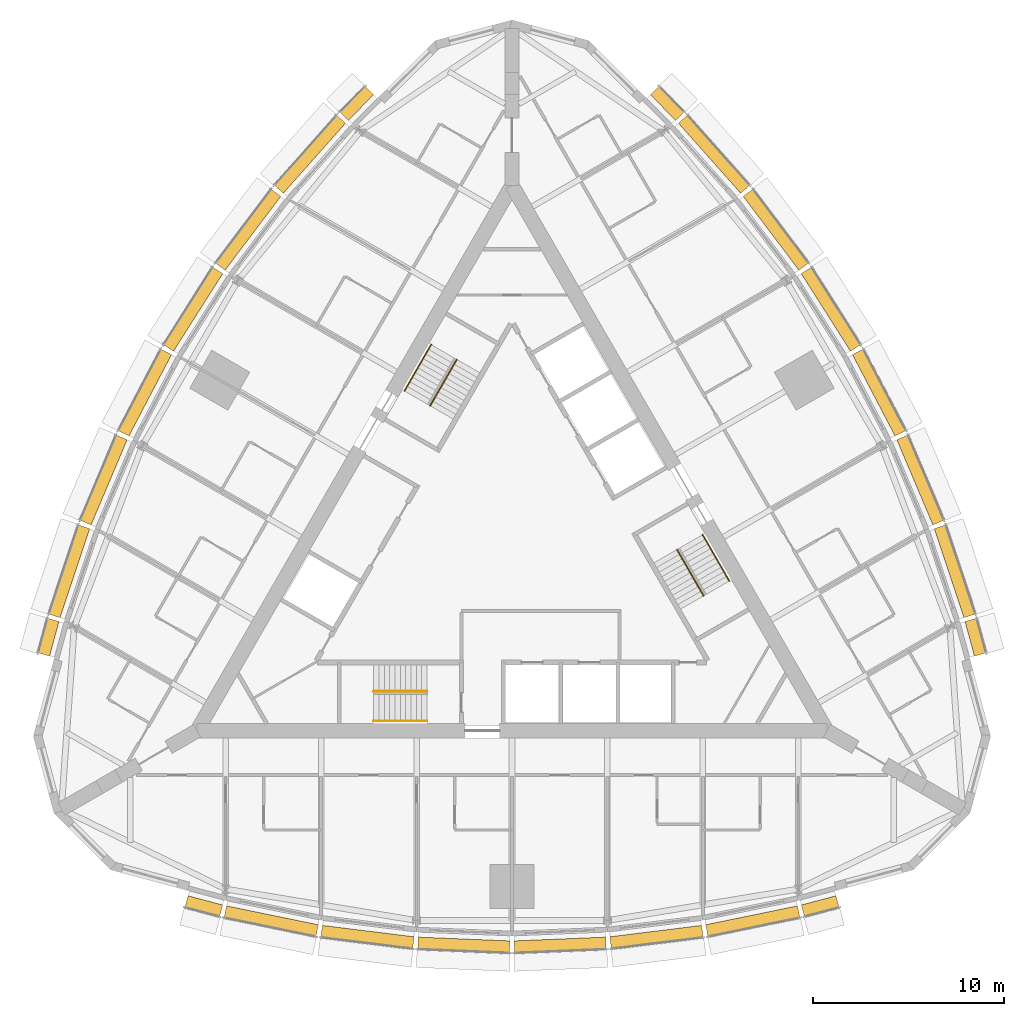
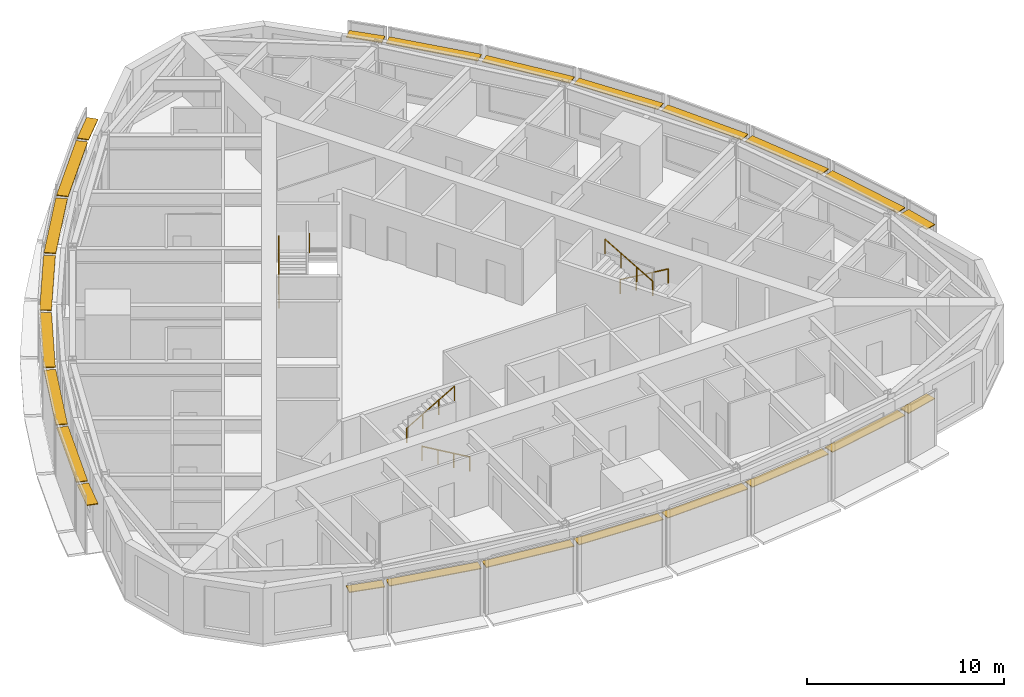
# One storey, part 15 of 15: 24 shading devices, 6 railings.
"""IFC4 building model written with IfcOpenShell, lengths in metres."""

from ifc_helpers import new_model, si_unit, direction, frame, origin, origin_2d, place, context, subcontext, project, spatial, rectangle, circle, extrude, material, type_object, element, save


model = new_model("IFC4")

# Units and contexts
model_context = context("Model", 3, precision=1e-05, world=origin(), true_north=direction((0.0, 1.0)))
body_context = subcontext(model_context, "Body", "Model", "MODEL_VIEW")
ifc_project = project(units=[si_unit("LENGTHUNIT", "METRE"), si_unit("AREAUNIT", "SQUARE_METRE"), si_unit("VOLUMEUNIT", "CUBIC_METRE"), si_unit("PLANEANGLEUNIT", "RADIAN"), si_unit("MASSUNIT", "GRAM", prefix="KILO")], contexts=[model_context])

# Site, building, storey
site_placement = place(None, origin())
site = spatial("IfcSite", under=ifc_project, at=site_placement, CompositionType="ELEMENT")
building_placement = place(site_placement, origin())
building = spatial("IfcBuilding", under=site, at=building_placement, Name="Trikona Tower", CompositionType="ELEMENT")
storey_placement = place(building_placement, frame((0.0, 0.0, 218.89990234375)))
storey = spatial("IfcBuildingStorey", under=building, at=storey_placement, Name="L58", CompositionType="ELEMENT", Elevation=218.89990234375)

# Shading devices
ifc_material_1 = material(Name="Aluminium louvre blade, pale anodised", Category="aluminium")
shading_device_type = type_object("IfcShadingDeviceType", Name="Cavity louvre 600", PredefinedType="USERDEFINED", material=ifc_material_1)
shading_device_1_placement = place(storey_placement, frame((-16.14404296875, -18.707763671875, 2.97509765625), z_axis=(0.0, 0.0, 1.0), x_axis=(0.966993038714, -0.254802792527, 0.0)))
element("IfcShadingDevice", 1, at=shading_device_1_placement, inside=storey, type_object=shading_device_type, Name="Cavity louvre L58-00", ObjectType="LOUVRE", PredefinedType="USERDEFINED", context=body_context, shape_type="SweptSolid", body=[
    extrude(rectangle(XDim=1.87841796875, YDim=0.60009765625, at=origin_2d()), origin(), (0.0, 0.0, 1.0), 0.050048828125),
])
shading_device_2_placement = place(storey_placement, frame((-12.614013671875, -19.492919921875, 2.97509765625), z_axis=(0.0, 0.0, 1.0), x_axis=(0.979457514864, -0.201650629992, 0.0)))
element("IfcShadingDevice", 2, at=shading_device_2_placement, inside=storey, type_object=shading_device_type, Name="Cavity louvre L58-01", ObjectType="LOUVRE", PredefinedType="USERDEFINED", context=body_context, shape_type="SweptSolid", body=[
    extrude(rectangle(XDim=4.914794921875, YDim=0.60009765625, at=origin_2d()), origin(), (0.0, 0.0, 1.0), 0.050048828125),
])
shading_device_3_placement = place(storey_placement, frame((-7.5693359375, -20.323974609375, 2.97509765625), z_axis=(0.0, 0.0, 1.0), x_axis=(0.992455266199, -0.122607277901, 0.0)))
element("IfcShadingDevice", 3, at=shading_device_3_placement, inside=storey, type_object=shading_device_type, Name="Cavity louvre L58-02", ObjectType="LOUVRE", PredefinedType="USERDEFINED", context=body_context, shape_type="SweptSolid", body=[
    extrude(rectangle(XDim=4.847900390625, YDim=0.60009765625, at=origin_2d()), origin(), (0.0, 0.0, 1.0), 0.050048828125),
])
for number, where, z_axis, x_axis, name in (
    (4, (-2.523193359375, -20.739501953125, 2.97509765625), (0.0, 0.0, 1.0), (0.999153186307, -0.041144991109, 0.0), "Cavity louvre L58-03"),
    (5, (2.523193359375, -20.739501953125, 2.97509765625), (0.0, 0.0, 1.0), (0.999153186307, 0.041144991109, 0.0), "Cavity louvre L58-04"),
):
    element("IfcShadingDevice", number, at=place(storey_placement, frame(where, z_axis=z_axis, x_axis=x_axis)), inside=storey, type_object=shading_device_type, Name=name, ObjectType="LOUVRE", PredefinedType="USERDEFINED", context=body_context, shape_type="SweptSolid", body=[
        extrude(rectangle(XDim=4.814208984375, YDim=0.60009765625, at=origin_2d()), origin(), (0.0, 0.0, 1.0), 0.050048828125),
    ])
shading_device_4_placement = place(storey_placement, frame((7.5693359375, -20.323974609375, 2.97509765625), z_axis=(0.0, 0.0, 1.0), x_axis=(0.992455266199, 0.122607277901, 0.0)))
element("IfcShadingDevice", 6, at=shading_device_4_placement, inside=storey, type_object=shading_device_type, Name="Cavity louvre L58-05", ObjectType="LOUVRE", PredefinedType="USERDEFINED", context=body_context, shape_type="SweptSolid", body=[
    extrude(rectangle(XDim=4.847900390625, YDim=0.60009765625, at=origin_2d()), origin(), (0.0, 0.0, 1.0), 0.050048828125),
])
shading_device_5_placement = place(storey_placement, frame((12.614013671875, -19.492919921875, 2.97509765625), z_axis=(0.0, 0.0, 1.0), x_axis=(0.979457514864, 0.201650629992, 0.0)))
element("IfcShadingDevice", 7, at=shading_device_5_placement, inside=storey, type_object=shading_device_type, Name="Cavity louvre L58-06", ObjectType="LOUVRE", PredefinedType="USERDEFINED", context=body_context, shape_type="SweptSolid", body=[
    extrude(rectangle(XDim=4.914794921875, YDim=0.60009765625, at=origin_2d()), origin(), (0.0, 0.0, 1.0), 0.050048828125),
])
for number, where, z_axis, x_axis, name in (
    (8, (16.14404296875, -18.707763671875, 2.97509765625), (0.0, 0.0, 1.0), (0.966993038714, 0.254802792527, 0.0), "Cavity louvre L58-07"),
    (9, (24.273193359375, -4.627197265625, 2.97509765625), (0.0, 0.0, 1.0), (-0.262822408229, 0.964844226667, 0.0), "Cavity louvre L58-12"),
):
    element("IfcShadingDevice", number, at=place(storey_placement, frame(where, z_axis=z_axis, x_axis=x_axis)), inside=storey, type_object=shading_device_type, Name=name, ObjectType="LOUVRE", PredefinedType="USERDEFINED", context=body_context, shape_type="SweptSolid", body=[
        extrude(rectangle(XDim=1.87841796875, YDim=0.60009765625, at=origin_2d()), origin(), (0.0, 0.0, 1.0), 0.050048828125),
    ])
shading_device_6_placement = place(storey_placement, frame((23.1884765625, -1.177490234375, 2.97509765625), z_axis=(0.0, 0.0, 1.0), x_axis=(-0.315092532747, 0.949060954737, 0.0)))
element("IfcShadingDevice", 10, at=shading_device_6_placement, inside=storey, type_object=shading_device_type, Name="Cavity louvre L58-13", ObjectType="LOUVRE", PredefinedType="USERDEFINED", context=body_context, shape_type="SweptSolid", body=[
    extrude(rectangle(XDim=4.914794921875, YDim=0.60009765625, at=origin_2d()), origin(), (0.0, 0.0, 1.0), 0.050048828125),
])
shading_device_7_placement = place(storey_placement, frame((21.385498046875, 3.606689453125, 2.97509765625), z_axis=(0.0, 0.0, 1.0), x_axis=(-0.390051437015, 0.920793069306, 0.0)))
element("IfcShadingDevice", 11, at=shading_device_7_placement, inside=storey, type_object=shading_device_type, Name="Cavity louvre L58-14", ObjectType="LOUVRE", PredefinedType="USERDEFINED", context=body_context, shape_type="SweptSolid", body=[
    extrude(rectangle(XDim=4.847900390625, YDim=0.60009765625, at=origin_2d()), origin(), (0.0, 0.0, 1.0), 0.050048828125),
])
for number, where, z_axis, x_axis, name in (
    (12, (19.222412109375, 8.1845703125, 2.97509765625), (0.0, 0.0, 1.0), (-0.463951716224, 0.885860488459, 0.0), "Cavity louvre L58-15"),
    (13, (16.69921875, 12.554931640625, 2.97509765625), (0.0, 0.0, 1.0), (-0.535204777743, 0.844722348397, 0.0), "Cavity louvre L58-16"),
):
    element("IfcShadingDevice", number, at=place(storey_placement, frame(where, z_axis=z_axis, x_axis=x_axis)), inside=storey, type_object=shading_device_type, Name=name, ObjectType="LOUVRE", PredefinedType="USERDEFINED", context=body_context, shape_type="SweptSolid", body=[
        extrude(rectangle(XDim=4.814208984375, YDim=0.60009765625, at=origin_2d()), origin(), (0.0, 0.0, 1.0), 0.050048828125),
    ])
shading_device_8_placement = place(storey_placement, frame((13.81640625, 16.717041015625, 2.97509765625), z_axis=(0.0, 0.0, 1.0), x_axis=(-0.602401684924, 0.798193090674, 0.0)))
element("IfcShadingDevice", 14, at=shading_device_8_placement, inside=storey, type_object=shading_device_type, Name="Cavity louvre L58-17", ObjectType="LOUVRE", PredefinedType="USERDEFINED", context=body_context, shape_type="SweptSolid", body=[
    extrude(rectangle(XDim=4.847900390625, YDim=0.60009765625, at=origin_2d()), origin(), (0.0, 0.0, 1.0), 0.050048828125),
])
shading_device_9_placement = place(storey_placement, frame((10.574462890625, 20.67041015625, 2.97509765625), z_axis=(0.0, 0.0, 1.0), x_axis=(-0.664367239113, 0.747406296196, 0.0)))
element("IfcShadingDevice", 15, at=shading_device_9_placement, inside=storey, type_object=shading_device_type, Name="Cavity louvre L58-18", ObjectType="LOUVRE", PredefinedType="USERDEFINED", context=body_context, shape_type="SweptSolid", body=[
    extrude(rectangle(XDim=4.914794921875, YDim=0.60009765625, at=origin_2d()), origin(), (0.0, 0.0, 1.0), 0.050048828125),
])
for number, where, z_axis, x_axis, name in (
    (16, (8.12939453125, 23.3349609375, 2.97509765625), (0.0, 0.0, 1.0), (-0.704151057285, 0.710050201412, 0.0), "Cavity louvre L58-19"),
    (17, (-8.12939453125, 23.3349609375, 2.97509765625), (0.0, 0.0, 1.0), (-0.704151057285, -0.710050201412, 0.0), "Cavity louvre L58-24"),
):
    element("IfcShadingDevice", number, at=place(storey_placement, frame(where, z_axis=z_axis, x_axis=x_axis)), inside=storey, type_object=shading_device_type, Name=name, ObjectType="LOUVRE", PredefinedType="USERDEFINED", context=body_context, shape_type="SweptSolid", body=[
        extrude(rectangle(XDim=1.87841796875, YDim=0.60009765625, at=origin_2d()), origin(), (0.0, 0.0, 1.0), 0.050048828125),
    ])
shading_device_10_placement = place(storey_placement, frame((-10.574462890625, 20.67041015625, 2.97509765625), z_axis=(0.0, 0.0, 1.0), x_axis=(-0.664367239113, -0.747406296196, 0.0)))
element("IfcShadingDevice", 18, at=shading_device_10_placement, inside=storey, type_object=shading_device_type, Name="Cavity louvre L58-25", ObjectType="LOUVRE", PredefinedType="USERDEFINED", context=body_context, shape_type="SweptSolid", body=[
    extrude(rectangle(XDim=4.914794921875, YDim=0.60009765625, at=origin_2d()), origin(), (0.0, 0.0, 1.0), 0.050048828125),
])
shading_device_11_placement = place(storey_placement, frame((-13.81640625, 16.717041015625, 2.97509765625), z_axis=(0.0, 0.0, 1.0), x_axis=(-0.602401684924, -0.798193090674, 0.0)))
element("IfcShadingDevice", 19, at=shading_device_11_placement, inside=storey, type_object=shading_device_type, Name="Cavity louvre L58-26", ObjectType="LOUVRE", PredefinedType="USERDEFINED", context=body_context, shape_type="SweptSolid", body=[
    extrude(rectangle(XDim=4.847900390625, YDim=0.60009765625, at=origin_2d()), origin(), (0.0, 0.0, 1.0), 0.050048828125),
])
for number, where, z_axis, x_axis, name in (
    (20, (-16.69921875, 12.554931640625, 2.97509765625), (0.0, 0.0, 1.0), (-0.535204777743, -0.844722348397, 0.0), "Cavity louvre L58-27"),
    (21, (-19.222412109375, 8.1845703125, 2.97509765625), (0.0, 0.0, 1.0), (-0.463951716224, -0.885860488459, 0.0), "Cavity louvre L58-28"),
):
    element("IfcShadingDevice", number, at=place(storey_placement, frame(where, z_axis=z_axis, x_axis=x_axis)), inside=storey, type_object=shading_device_type, Name=name, ObjectType="LOUVRE", PredefinedType="USERDEFINED", context=body_context, shape_type="SweptSolid", body=[
        extrude(rectangle(XDim=4.814208984375, YDim=0.60009765625, at=origin_2d()), origin(), (0.0, 0.0, 1.0), 0.050048828125),
    ])
shading_device_12_placement = place(storey_placement, frame((-21.385498046875, 3.606689453125, 2.97509765625), z_axis=(0.0, 0.0, 1.0), x_axis=(-0.390051437015, -0.920793069306, 0.0)))
element("IfcShadingDevice", 22, at=shading_device_12_placement, inside=storey, type_object=shading_device_type, Name="Cavity louvre L58-29", ObjectType="LOUVRE", PredefinedType="USERDEFINED", context=body_context, shape_type="SweptSolid", body=[
    extrude(rectangle(XDim=4.847900390625, YDim=0.60009765625, at=origin_2d()), origin(), (0.0, 0.0, 1.0), 0.050048828125),
])
shading_device_13_placement = place(storey_placement, frame((-23.1884765625, -1.177490234375, 2.97509765625), z_axis=(0.0, 0.0, 1.0), x_axis=(-0.315092532747, -0.949060954737, 0.0)))
element("IfcShadingDevice", 23, at=shading_device_13_placement, inside=storey, type_object=shading_device_type, Name="Cavity louvre L58-30", ObjectType="LOUVRE", PredefinedType="USERDEFINED", context=body_context, shape_type="SweptSolid", body=[
    extrude(rectangle(XDim=4.914794921875, YDim=0.60009765625, at=origin_2d()), origin(), (0.0, 0.0, 1.0), 0.050048828125),
])
shading_device_14_placement = place(storey_placement, frame((-24.273193359375, -4.627197265625, 2.97509765625), z_axis=(0.0, 0.0, 1.0), x_axis=(-0.262822408229, -0.964844226667, 0.0)))
element("IfcShadingDevice", 24, at=shading_device_14_placement, inside=storey, type_object=shading_device_type, Name="Cavity louvre L58-31", ObjectType="LOUVRE", PredefinedType="USERDEFINED", context=body_context, shape_type="SweptSolid", body=[
    extrude(rectangle(XDim=1.87841796875, YDim=0.60009765625, at=origin_2d()), origin(), (0.0, 0.0, 1.0), 0.050048828125),
])

# Railings
ifc_material_2 = material(Name="Stainless steel handrail", Category="steel")
railing_type = type_object("IfcRailingType", Name="Stair handrail", PredefinedType="HANDRAIL", material=ifc_material_2)
railing_1_placement = place(storey_placement, frame((-4.449951171875, -9.016357421875, 0.163818359375)))
element("IfcRailing", 25, at=railing_1_placement, inside=storey, type_object=railing_type, Name="Stair handrail A L58 1", PredefinedType="HANDRAIL", context=body_context, shape_type="SweptSolid", body=[
    extrude(circle(Radius=0.02392578125, at=origin_2d()), frame((0.0, 0.0, 0.8759765625), z_axis=(-0.863393664356, 0.0, 0.504530851732), x_axis=(0.0, -1.0, 0.0)), (0.0, 0.0, 1.0), 3.2431640625),
    extrude(circle(Radius=0.02099609375, at=origin_2d()), origin(), (0.0, 0.0, 1.0), 0.851806640625),
    extrude(circle(Radius=0.02099609375, at=origin_2d()), frame((-0.933349609375, 0.0, 0.54541015625)), (0.0, 0.0, 1.0), 0.851806640625),
    extrude(circle(Radius=0.02099609375, at=origin_2d()), frame((-1.86669921875, 0.0, 1.0908203125)), (0.0, 0.0, 1.0), 0.851806640625),
    extrude(circle(Radius=0.02099609375, at=origin_2d()), frame((-2.800048828125, 0.0, 1.63623046875)), (0.0, 0.0, 1.0), 0.851806640625),
])
railing_2_placement = place(storey_placement, frame((-7.25, -7.46630859375, 1.963623046875)))
element("IfcRailing", 26, at=railing_2_placement, inside=storey, type_object=railing_type, Name="Stair handrail A L58 2", PredefinedType="HANDRAIL", context=body_context, shape_type="SweptSolid", body=[
    extrude(circle(Radius=0.02392578125, at=origin_2d()), frame((0.0, 0.0, 0.8759765625), z_axis=(0.863360870873, 0.0, 0.504586966384), x_axis=(0.0, 1.0, 0.0)), (0.0, 0.0, 1.0), 3.2431640625),
    extrude(circle(Radius=0.02099609375, at=origin_2d()), origin(), (0.0, 0.0, 1.0), 0.851806640625),
    extrude(circle(Radius=0.02099609375, at=origin_2d()), frame((0.933349609375, 0.0, 0.54541015625)), (0.0, 0.0, 1.0), 0.851806640625),
    extrude(circle(Radius=0.02099609375, at=origin_2d()), frame((1.86669921875, 0.0, 1.091064453125)), (0.0, 0.0, 1.0), 0.851806640625),
    extrude(circle(Radius=0.02099609375, at=origin_2d()), frame((2.800048828125, 0.0, 1.636474609375)), (0.0, 0.0, 1.0), 0.851806640625),
])
railing_3_placement = place(storey_placement, frame((9.9833984375, 0.740966796875, 0.163818359375)))
element("IfcRailing", 27, at=railing_3_placement, inside=storey, type_object=railing_type, Name="Stair handrail B L58 1", PredefinedType="HANDRAIL", context=body_context, shape_type="SweptSolid", body=[
    extrude(circle(Radius=0.02392578125, at=origin_2d()), frame((0.0, 0.0, 0.8759765625), z_axis=(0.43165272891, -0.747751404999, 0.504523297725), x_axis=(0.866056369097, 0.49994636267, 0.0)), (0.0, 0.0, 1.0), 3.2431640625),
    extrude(circle(Radius=0.02099609375, at=origin_2d()), origin(), (0.0, 0.0, 1.0), 0.851806640625),
    extrude(circle(Radius=0.02099609375, at=origin_2d()), frame((0.466552734375, -0.808349609375, 0.54541015625)), (0.0, 0.0, 1.0), 0.851806640625),
    extrude(circle(Radius=0.02099609375, at=origin_2d()), frame((0.933349609375, -1.61669921875, 1.0908203125)), (0.0, 0.0, 1.0), 0.851806640625),
    extrude(circle(Radius=0.02099609375, at=origin_2d()), frame((1.39990234375, -2.425048828125, 1.63623046875)), (0.0, 0.0, 1.0), 0.851806640625),
])
railing_4_placement = place(storey_placement, frame((10.041015625, -2.458984375, 1.963623046875)))
element("IfcRailing", 28, at=railing_4_placement, inside=storey, type_object=railing_type, Name="Stair handrail B L58 2", PredefinedType="HANDRAIL", context=body_context, shape_type="SweptSolid", body=[
    extrude(circle(Radius=0.02392578125, at=origin_2d()), frame((0.0, 0.0, 0.8759765625), z_axis=(-0.431636334334, 0.747723004699, 0.504579412111), x_axis=(-0.866056369097, -0.49994636267, 0.0)), (0.0, 0.0, 1.0), 3.2431640625),
    extrude(circle(Radius=0.02099609375, at=origin_2d()), origin(), (0.0, 0.0, 1.0), 0.851806640625),
    extrude(circle(Radius=0.02099609375, at=origin_2d()), frame((-0.466552734375, 0.808349609375, 0.54541015625)), (0.0, 0.0, 1.0), 0.851806640625),
    extrude(circle(Radius=0.02099609375, at=origin_2d()), frame((-0.933349609375, 1.61669921875, 1.091064453125)), (0.0, 0.0, 1.0), 0.851806640625),
    extrude(circle(Radius=0.02099609375, at=origin_2d()), frame((-1.39990234375, 2.425048828125, 1.636474609375)), (0.0, 0.0, 1.0), 0.851806640625),
])
railing_5_placement = place(storey_placement, frame((-5.63330078125, 8.275390625, 0.163818359375)))
element("IfcRailing", 29, at=railing_5_placement, inside=storey, type_object=railing_type, Name="Stair handrail C L58 1", PredefinedType="HANDRAIL", context=body_context, shape_type="SweptSolid", body=[
    extrude(circle(Radius=0.02392578125, at=origin_2d()), frame((0.0, 0.0, 0.8759765625), z_axis=(0.431677027627, 0.74771821388, 0.504551698492), x_axis=(-0.866034573852, 0.49998411664, 0.0)), (0.0, 0.0, 1.0), 3.242919921875),
    extrude(circle(Radius=0.02099609375, at=origin_2d()), origin(), (0.0, 0.0, 1.0), 0.851806640625),
    extrude(circle(Radius=0.02099609375, at=origin_2d()), frame((0.466552734375, 0.808349609375, 0.54541015625)), (0.0, 0.0, 1.0), 0.851806640625),
    extrude(circle(Radius=0.02099609375, at=origin_2d()), frame((0.933349609375, 1.616455078125, 1.0908203125)), (0.0, 0.0, 1.0), 0.851806640625),
    extrude(circle(Radius=0.02099609375, at=origin_2d()), frame((1.39990234375, 2.4248046875, 1.63623046875)), (0.0, 0.0, 1.0), 0.851806640625),
])
railing_6_placement = place(storey_placement, frame((-2.89111328125, 9.92529296875, 1.963623046875)))
element("IfcRailing", 30, at=railing_6_placement, inside=storey, type_object=railing_type, Name="Stair handrail C L58 2", PredefinedType="HANDRAIL", context=body_context, shape_type="SweptSolid", body=[
    extrude(circle(Radius=0.02392578125, at=origin_2d()), frame((0.0, 0.0, 0.8759765625), z_axis=(-0.431636334334, -0.747723004699, 0.504579412111), x_axis=(0.866056369097, -0.49994636267, 0.0)), (0.0, 0.0, 1.0), 3.2431640625),
    extrude(circle(Radius=0.02099609375, at=origin_2d()), origin(), (0.0, 0.0, 1.0), 0.851806640625),
    extrude(circle(Radius=0.02099609375, at=origin_2d()), frame((-0.466552734375, -0.808349609375, 0.54541015625)), (0.0, 0.0, 1.0), 0.851806640625),
    extrude(circle(Radius=0.02099609375, at=origin_2d()), frame((-0.933349609375, -1.61669921875, 1.091064453125)), (0.0, 0.0, 1.0), 0.851806640625),
    extrude(circle(Radius=0.02099609375, at=origin_2d()), frame((-1.39990234375, -2.425048828125, 1.636474609375)), (0.0, 0.0, 1.0), 0.851806640625),
])

save(model, "model.ifc")
